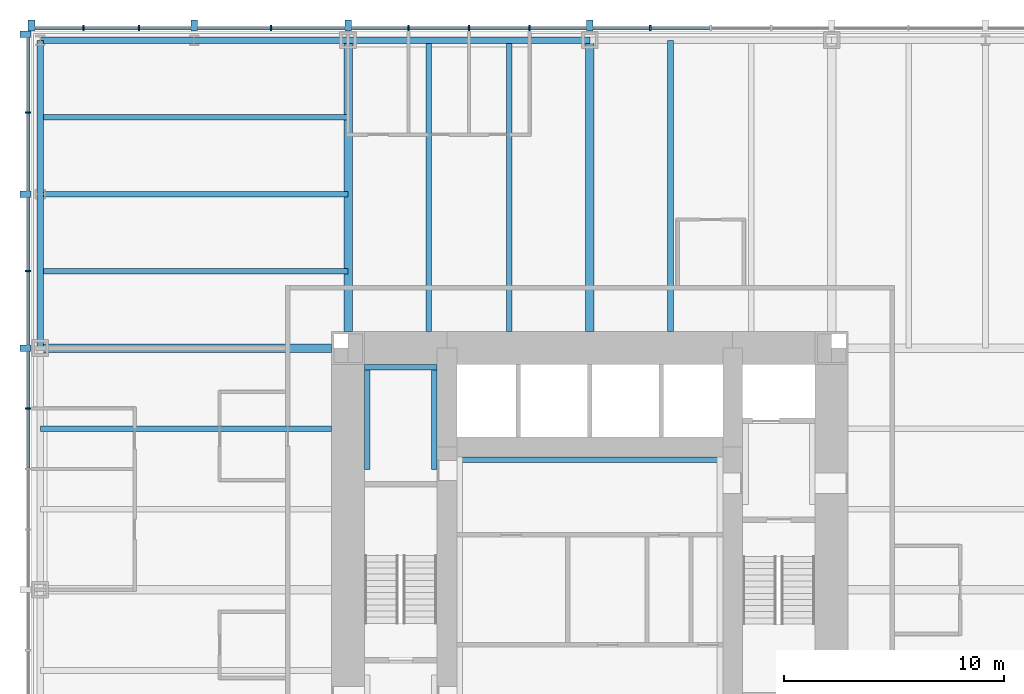
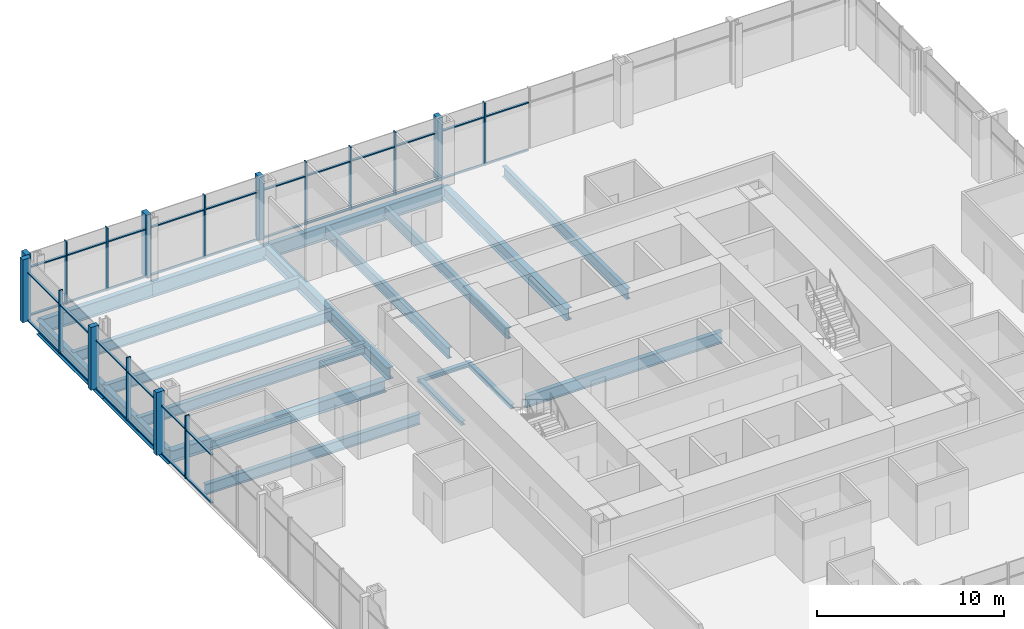
# One storey, part 5 of 12: 51 members, 19 beams, 2 elements without a shape of their own.
"""IFC4 building model written with IfcOpenShell, lengths in metres."""

import ifcopenshell
import ifcopenshell.guid

model = None  # the IFC model being written
_history = None  # IfcOwnerHistory: only IFC2X3 demands one
_inside = {}  # id of a spatial element -> (the spatial element, [elements in it])
_under = {}  # id of a project, library or spatial element -> (it, [spatial elements below it])
_declared = {}  # id of a project -> (the project, [libraries it declares])
_typed = {}  # id of a type object -> (the type object, [elements of that type])
_made_of = {}  # id of a material, layer set ... -> (it, [elements and type objects made of it])


def new_model(schema):
    """Start an empty IFC model of exactly this schema.

    Asked for "IFC4X3", IfcOpenShell would pick the latest addendum, in which some entities
    have other attributes; the version numbers below select the first issue.
    IFC2X3 requires an IfcOwnerHistory on every rooted entity: one is made here for all.
    """
    global model, _history
    if schema == "IFC4X3":
        model = ifcopenshell.file(schema_version=(4, 3, 0, 0))
    else:
        model = ifcopenshell.file(schema=schema)
    _inside.clear()
    _under.clear()
    _declared.clear()
    _typed.clear()
    _made_of.clear()
    _history = None
    if model.schema == "IFC2X3":
        org = make("IfcOrganization", Name="unknown")
        user = make(
            "IfcPersonAndOrganization",
            ThePerson=make("IfcPerson", FamilyName="unknown"),
            TheOrganization=org,
        )
        app = make(
            "IfcApplication",
            ApplicationDeveloper=org,
            Version="unknown",
            ApplicationFullName="unknown",
            ApplicationIdentifier="unknown",
        )
        _history = make(
            "IfcOwnerHistory",
            OwningUser=user,
            OwningApplication=app,
            ChangeAction="ADDED",
            CreationDate=0,
        )
    return model


def make(cls, **values):
    """One entity of the class cls with the attributes given. An attribute that is None is left unset."""
    return model.create_entity(
        cls, **{name: value for name, value in values.items() if value is not None}
    )


def rooted(cls, **values):
    """An entity with a GlobalId (a new one), such as an element, a storey or a relation."""
    return make(cls, GlobalId=ifcopenshell.guid.new(), OwnerHistory=_history, **values)


def si_unit(unit_type, name, prefix=None):
    """IfcSIUnit, for example si_unit("LENGTHUNIT", "METRE", prefix="MILLI")."""
    return make("IfcSIUnit", UnitType=unit_type, Prefix=prefix, Name=name)


def assignment(units):
    """IfcUnitAssignment: the units of a project."""
    return None if units is None else make("IfcUnitAssignment", Units=units)


def point(xyz):
    """IfcCartesianPoint."""
    return None if xyz is None else make("IfcCartesianPoint", Coordinates=xyz)


def direction(xyz):
    """IfcDirection."""
    return None if xyz is None else make("IfcDirection", DirectionRatios=xyz)


def frame(location, z_axis=None, x_axis=None):
    """IfcAxis2Placement3D, a coordinate frame: its origin and axes. An axis left out is left unset."""
    return make(
        "IfcAxis2Placement3D",
        Location=point(location),
        Axis=direction(z_axis),
        RefDirection=direction(x_axis),
    )


def frame_2d(location, x_axis=None):
    """IfcAxis2Placement2D, a coordinate frame in the plane: its origin and x axis."""
    return make(
        "IfcAxis2Placement2D", Location=point(location), RefDirection=direction(x_axis)
    )


def origin():
    """The frame at (0, 0, 0) with its axes left unset."""
    return frame((0.0, 0.0, 0.0))


def origin_2d():
    """The frame at (0, 0) in the plane with its x axis left unset."""
    return frame_2d((0.0, 0.0))


def place(relative_to, where):
    """IfcLocalPlacement: puts the frame where relative to a parent placement (None: the world)."""
    return make(
        "IfcLocalPlacement", PlacementRelTo=relative_to, RelativePlacement=where
    )


def context(
    kind, dimensions, precision=None, world=None, true_north=None, identifier=None
):
    """IfcGeometricRepresentationContext, for example the 3D "Model" context."""
    return make(
        "IfcGeometricRepresentationContext",
        ContextIdentifier=identifier,
        ContextType=kind,
        CoordinateSpaceDimension=dimensions,
        Precision=precision,
        WorldCoordinateSystem=world,
        TrueNorth=true_north,
    )


def subcontext(parent, identifier, kind, view, scale=None):
    """IfcGeometricRepresentationSubContext, for example "Body" below "Model"."""
    return make(
        "IfcGeometricRepresentationSubContext",
        ContextIdentifier=identifier,
        ContextType=kind,
        ParentContext=parent,
        TargetScale=scale,
        TargetView=view,
    )


def project(units=None, contexts=None):
    """IfcProject with its units and contexts."""
    return rooted(
        "IfcProject",
        Name="project",
        RepresentationContexts=contexts,
        UnitsInContext=assignment(units),
    )


def spatial(cls, under=None, at=None, **own):
    """A site, building, storey or space (cls), placed at a placement, below another one or the project."""
    s = rooted(cls, ObjectPlacement=at, **own)
    if under is not None:
        _under.setdefault(under.id(), (under, []))[1].append(s)
    return s


def profile(cls, at=None, kind="AREA", **sizes):
    """A parametric profile (cls). Its sizes go by their IFC names, for example OverallWidth=200.0."""
    return make(cls, ProfileType=kind, Position=at, **sizes)


def rectangle(**sizes):
    """IfcRectangleProfileDef."""
    return profile("IfcRectangleProfileDef", **sizes)


def i_section(**sizes):
    """IfcIShapeProfileDef."""
    return profile("IfcIShapeProfileDef", **sizes)


def extrude(swept, where, along, depth):
    """IfcExtrudedAreaSolid: the profile swept, set in the frame where, extruded along a direction by depth."""
    return make(
        "IfcExtrudedAreaSolid",
        SweptArea=swept,
        Position=where,
        ExtrudedDirection=direction(along),
        Depth=depth,
    )


def shape(context_of_items, identifier, shape_type, items):
    """IfcShapeRepresentation: the items that make up one representation, for example the "Body"."""
    return make(
        "IfcShapeRepresentation",
        ContextOfItems=context_of_items,
        RepresentationIdentifier=identifier,
        RepresentationType=shape_type,
        Items=items,
    )


def material(Name=None, Category=None):
    """IfcMaterial."""
    return make("IfcMaterial", Name=Name, Category=Category)


def material_profile(
    of_material, cross_section, Name=None, Category=None, Priority=None
):
    """IfcMaterialProfile: a cross section and its material."""
    return make(
        "IfcMaterialProfile",
        Name=Name,
        Material=of_material,
        Profile=cross_section,
        Priority=Priority,
        Category=Category,
    )


def profile_set(profiles, Name=None, composite=None):
    """IfcMaterialProfileSet."""
    return make(
        "IfcMaterialProfileSet",
        Name=Name,
        MaterialProfiles=profiles,
        CompositeProfile=composite,
    )


def made_of(thing, what):
    """Note that an element or type object is made of a material, layer set ...; save() writes the relation."""
    if what is not None:
        _made_of.setdefault(what.id(), (what, []))[1].append(thing)
    return thing


def type_object(cls, material=None, **own):
    """A type object (cls), such as IfcWallType, which elements share."""
    return made_of(rooted(cls, **own), material)


def element(
    cls,
    number,
    at=None,
    inside=None,
    cuts=None,
    type_object=None,
    material=None,
    context=None,
    identifier="Body",
    shape_type=None,
    held_by="IfcProductDefinitionShape",
    body=None,
    shapes=None,
    **own,
):
    """One element of the class cls, such as IfcWall. Its Tag is "e" and its number.

    at: its placement. inside: the storey or other place that contains it. cuts: it is an
    opening in that element (IfcRelVoidsElement). A single representation is given by context,
    identifier, shape_type and body (its items); several are given by shapes. held_by: the class
    of the entity that holds the representations. save() writes the other relations.
    """
    e = rooted(cls, Tag="e%d" % number, ObjectPlacement=at, **own)
    if body is not None:
        shapes = [shape(context, identifier, shape_type, body)]
    if shapes is not None:
        e.Representation = make(held_by, Representations=shapes)
    if inside is not None:
        _inside.setdefault(inside.id(), (inside, []))[1].append(e)
    if cuts is not None:
        rooted(
            "IfcRelVoidsElement", RelatingBuildingElement=cuts, RelatedOpeningElement=e
        )
    if type_object is not None:
        _typed.setdefault(type_object.id(), (type_object, []))[1].append(e)
    return made_of(e, material)


def aggregate(whole, parts):
    """IfcRelAggregates: a whole, such as a stair, and the parts it consists of."""
    return rooted("IfcRelAggregates", RelatingObject=whole, RelatedObjects=parts)


def save(model, path):
    """Write the relations noted so far, then the file.

    IfcRelAggregates (storeys below a building ...), IfcRelContainedInSpatialStructure (elements
    in a storey), IfcRelDefinesByType, IfcRelAssociatesMaterial and IfcRelDeclares: one each for
    every whole, place, type object, material and project.
    """
    for whole, parts in _under.values():
        aggregate(whole, parts)
    for where, things in _inside.values():
        rooted(
            "IfcRelContainedInSpatialStructure",
            RelatedElements=things,
            RelatingStructure=where,
        )
    for kind, things in _typed.values():
        rooted("IfcRelDefinesByType", RelatedObjects=things, RelatingType=kind)
    for what, things in _made_of.values():
        rooted("IfcRelAssociatesMaterial", RelatedObjects=things, RelatingMaterial=what)
    for by, libraries in _declared.values():
        rooted("IfcRelDeclares", RelatingContext=by, RelatedDefinitions=libraries)
    model.write(path)


model = new_model("IFC4")

# Units and contexts
model_context = context("Model", 3, precision=1e-05, world=origin(), true_north=direction((0.0, 1.0)))
body_context = subcontext(model_context, "Body", "Model", "MODEL_VIEW")
ifc_project = project(units=[si_unit("LENGTHUNIT", "METRE"), si_unit("AREAUNIT", "SQUARE_METRE"), si_unit("VOLUMEUNIT", "CUBIC_METRE"), si_unit("PLANEANGLEUNIT", "RADIAN"), si_unit("MASSUNIT", "GRAM", prefix="KILO")], contexts=[model_context])

# Site, building, storey
site_placement = place(None, origin())
site = spatial("IfcSite", under=ifc_project, at=site_placement, CompositionType="ELEMENT")
building_placement = place(site_placement, origin())
building = spatial("IfcBuilding", under=site, at=building_placement, Name="Trevanion Tower", CompositionType="ELEMENT")
storey_placement = place(building_placement, frame((0.0, 0.0, 36.5)))
storey = spatial("IfcBuildingStorey", under=building, at=storey_placement, Name="L08", CompositionType="ELEMENT", Elevation=36.5)

# Beams
ifc_material_1 = material(Name="Steel ASTM A992 Grade 50", Category="steel")
ifc_material_profile_1 = material_profile(ifc_material_1, i_section(OverallWidth=0.25390625, OverallDepth=0.700927734375, WebThickness=0.015380859375, FlangeThickness=0.02783203125, at=origin_2d()), Name="W27X129")
ifc_profile_set_1 = profile_set([ifc_material_profile_1], Name="Steel ASTM A992 Grade 50")
beam_type_1 = type_object("IfcBeamType", Name="B3 W27X129", PredefinedType="BEAM", material=ifc_profile_set_1)
for number, where, z_axis, x_axis, name in (
    (1, (3.666748046875, 11.75, -0.54052734375), (0.0, 1.0, 0.0), (-1.0, 0.0, 0.0), "B3 L08"),
    (2, (-3.666748046875, 11.75, -0.54052734375), (0.0, 1.0, 0.0), (-1.0, 0.0, 0.0), "B3 L08"),
    (3, (-7.333251953125, 11.75, -0.54052734375), (0.0, 1.0, 0.0), (-1.0, 0.0, 0.0), "B3 L08"),
    (4, (-11.75, 7.333251953125, -0.54052734375), (-1.0, 0.0, 0.0), (0.0, -1.0, 0.0), "B3 L08"),
):
    element("IfcBeam", number, at=place(storey_placement, frame(where, z_axis=z_axis, x_axis=x_axis)), inside=storey, type_object=beam_type_1, Name=name, PredefinedType="BEAM", context=body_context, shape_type="SweptSolid", body=[
        extrude(i_section(OverallWidth=0.25390625, OverallDepth=0.700927734375, WebThickness=0.015380859375, FlangeThickness=0.02783203125, at=origin_2d()), origin(), (0.0, 0.0, 1.0), 13.25),
    ])
ifc_material_2 = material(Name="Steel ASTM A992 Grade 50", Category="steel")
ifc_material_profile_2 = material_profile(ifc_material_2, i_section(OverallWidth=0.256591796875, OverallDepth=0.693359375, WebThickness=0.014404296875, FlangeThickness=0.023681640625, at=origin_2d()), Name="W27X114")
ifc_profile_set_2 = profile_set([ifc_material_profile_2], Name="Steel ASTM A992 Grade 50")
beam_type_2 = type_object("IfcBeamType", Name="B4 W27X114", PredefinedType="BEAM", material=ifc_profile_set_2)
for number, where, z_axis, x_axis, name in (
    (5, (-11.0, 14.5, -0.53662109375), (-1.0, 0.0, 0.0), (0.0, -1.0, 0.0), "B4 L08"),
    (6, (-11.0, 18.0, -0.53662109375), (-1.0, 0.0, 0.0), (0.0, -1.0, 0.0), "B4 L08"),
    (7, (-11.0, 21.5, -0.53662109375), (-1.0, 0.0, 0.0), (0.0, -1.0, 0.0), "B4 L08"),
):
    element("IfcBeam", number, at=place(storey_placement, frame(where, z_axis=z_axis, x_axis=x_axis)), inside=storey, type_object=beam_type_2, Name=name, PredefinedType="BEAM", context=body_context, shape_type="SweptSolid", body=[
        extrude(i_section(OverallWidth=0.256591796875, OverallDepth=0.693359375, WebThickness=0.014404296875, FlangeThickness=0.023681640625, at=origin_2d()), origin(), (0.0, 0.0, 1.0), 14.0),
    ])

# Curtain wall, members
ifc_material_3 = material(Name="Aluminium and glass", Category="aluminium")
curtain_wall_type = type_object("IfcCurtainWallType", Name="CW1 curtain wall", PredefinedType="USERDEFINED", material=ifc_material_3)
curtain_wall_1_placement = place(storey_placement, origin())
curtain_wall_1 = element("IfcCurtainWall", 8, at=curtain_wall_1_placement, inside=storey, type_object=curtain_wall_type, Name="CW1 L08 1", ObjectType="UNITISED CURTAIN WALL", PredefinedType="USERDEFINED")
ifc_material_4 = material(Name="Aluminium extrusion, anodised bronze", Category="aluminium")
ifc_material_profile_3 = material_profile(ifc_material_4, rectangle(XDim=0.074951171875, YDim=0.25, at=origin_2d()), Name="CW1 mullion")
ifc_profile_set_3 = profile_set([ifc_material_profile_3], Name="Aluminium extrusion, anodised bronze")
member_type_1 = type_object("IfcMemberType", Name="CW1 mullion", PredefinedType="MULLION", material=ifc_profile_set_3)
member_1_placement = place(storey_placement, frame((2.75, 25.550048828125, -0.18994140625), z_axis=(0.0, 0.0, 1.0), x_axis=(-1.0, 0.0, 0.0)))
member_1 = element("IfcMember", 9, at=member_1_placement, type_object=member_type_1, Name="CW1 mullion 8", PredefinedType="MULLION", context=body_context, shape_type="SweptSolid", body=[
    extrude(rectangle(XDim=0.074951171875, YDim=0.25, at=origin_2d()), origin(), (0.0, 0.0, 1.0), 4.099853515625),
])
member_2_placement = place(storey_placement, frame((-2.75, 25.550048828125, -0.18994140625), z_axis=(0.0, 0.0, 1.0), x_axis=(-1.0, 0.0, 0.0)))
member_2 = element("IfcMember", 10, at=member_2_placement, type_object=member_type_1, Name="CW1 mullion 10", PredefinedType="MULLION", context=body_context, shape_type="SweptSolid", body=[
    extrude(rectangle(XDim=0.074951171875, YDim=0.25, at=origin_2d()), origin(), (0.0, 0.0, 1.0), 4.099853515625),
])
member_3_placement = place(storey_placement, frame((-5.5, 25.550048828125, -0.18994140625), z_axis=(0.0, 0.0, 1.0), x_axis=(-1.0, 0.0, 0.0)))
member_3 = element("IfcMember", 11, at=member_3_placement, type_object=member_type_1, Name="CW1 mullion 11", PredefinedType="MULLION", context=body_context, shape_type="SweptSolid", body=[
    extrude(rectangle(XDim=0.074951171875, YDim=0.25, at=origin_2d()), origin(), (0.0, 0.0, 1.0), 4.099853515625),
])
member_4_placement = place(storey_placement, frame((-8.25, 25.550048828125, -0.18994140625), z_axis=(0.0, 0.0, 1.0), x_axis=(-1.0, 0.0, 0.0)))
member_4 = element("IfcMember", 12, at=member_4_placement, type_object=member_type_1, Name="CW1 mullion 12", PredefinedType="MULLION", context=body_context, shape_type="SweptSolid", body=[
    extrude(rectangle(XDim=0.074951171875, YDim=0.25, at=origin_2d()), origin(), (0.0, 0.0, 1.0), 4.099853515625),
])
member_5_placement = place(storey_placement, frame((-14.5, 25.550048828125, -0.18994140625), z_axis=(0.0, 0.0, 1.0), x_axis=(-1.0, 0.0, 0.0)))
member_5 = element("IfcMember", 13, at=member_5_placement, type_object=member_type_1, Name="CW1 mullion 14", PredefinedType="MULLION", context=body_context, shape_type="SweptSolid", body=[
    extrude(rectangle(XDim=0.074951171875, YDim=0.25, at=origin_2d()), origin(), (0.0, 0.0, 1.0), 4.099853515625),
])
member_6_placement = place(storey_placement, frame((-20.5166015625, 25.550048828125, -0.18994140625), z_axis=(0.0, 0.0, 1.0), x_axis=(-1.0, 0.0, 0.0)))
member_6 = element("IfcMember", 14, at=member_6_placement, type_object=member_type_1, Name="CW1 mullion 16", PredefinedType="MULLION", context=body_context, shape_type="SweptSolid", body=[
    extrude(rectangle(XDim=0.074951171875, YDim=0.25, at=origin_2d()), origin(), (0.0, 0.0, 1.0), 4.099853515625),
])
member_7_placement = place(storey_placement, frame((-23.033203125, 25.550048828125, -0.18994140625), z_axis=(0.0, 0.0, 1.0), x_axis=(-1.0, 0.0, 0.0)))
member_7 = element("IfcMember", 15, at=member_7_placement, type_object=member_type_1, Name="CW1 mullion 17", PredefinedType="MULLION", context=body_context, shape_type="SweptSolid", body=[
    extrude(rectangle(XDim=0.074951171875, YDim=0.25, at=origin_2d()), origin(), (0.0, 0.0, 1.0), 4.099853515625),
])

curtain_wall_2_placement = place(storey_placement, origin())
curtain_wall_2 = element("IfcCurtainWall", 16, at=curtain_wall_2_placement, inside=storey, type_object=curtain_wall_type, Name="CW1 L08 2", ObjectType="UNITISED CURTAIN WALL", PredefinedType="USERDEFINED")
member_8_placement = place(storey_placement, frame((-25.550048828125, 21.7099609375, -0.18994140625), z_axis=(0.0, 0.0, 1.0), x_axis=(0.0, -1.0, 0.0)))
member_8 = element("IfcMember", 17, at=member_8_placement, type_object=member_type_1, Name="CW1 mullion 2", PredefinedType="MULLION", context=body_context, shape_type="SweptSolid", body=[
    extrude(rectangle(XDim=0.074951171875, YDim=0.25, at=origin_2d()), origin(), (0.0, 0.0, 1.0), 4.099853515625),
])
member_9_placement = place(storey_placement, frame((-25.550048828125, 14.5, -0.18994140625), z_axis=(0.0, 0.0, 1.0), x_axis=(0.0, -1.0, 0.0)))
member_9 = element("IfcMember", 18, at=member_9_placement, type_object=member_type_1, Name="CW1 mullion 4", PredefinedType="MULLION", context=body_context, shape_type="SweptSolid", body=[
    extrude(rectangle(XDim=0.074951171875, YDim=0.25, at=origin_2d()), origin(), (0.0, 0.0, 1.0), 4.099853515625),
])
member_10_placement = place(storey_placement, frame((-25.550048828125, 8.25, -0.18994140625), z_axis=(0.0, 0.0, 1.0), x_axis=(0.0, -1.0, 0.0)))
member_10 = element("IfcMember", 19, at=member_10_placement, type_object=member_type_1, Name="CW1 mullion 6", PredefinedType="MULLION", context=body_context, shape_type="SweptSolid", body=[
    extrude(rectangle(XDim=0.074951171875, YDim=0.25, at=origin_2d()), origin(), (0.0, 0.0, 1.0), 4.099853515625),
])

# Member
ifc_material_5 = material(Name="Aluminium extrusion, anodised bronze", Category="aluminium")
ifc_material_profile_4 = material_profile(ifc_material_5, rectangle(XDim=0.300048828125, YDim=0.5, at=origin_2d()), Name="CW1 pier mullion")
ifc_profile_set_4 = profile_set([ifc_material_profile_4], Name="Aluminium extrusion, anodised bronze")
member_type_2 = type_object("IfcMemberType", Name="CW1 pier mullion", PredefinedType="MULLION", material=ifc_profile_set_4)
member_11_placement = place(storey_placement, frame((0.0, 25.675048828125, -0.18994140625), z_axis=(0.0, 0.0, 1.0), x_axis=(-1.0, 0.0, 0.0)))
member_11 = element("IfcMember", 20, at=member_11_placement, type_object=member_type_2, Name="CW1 pier mullion 9", PredefinedType="MULLION", context=body_context, shape_type="SweptSolid", body=[
    extrude(rectangle(XDim=0.300048828125, YDim=0.5, at=origin_2d()), origin(), (0.0, 0.0, 1.0), 4.099853515625),
])

member_12_placement = place(storey_placement, frame((-11.0, 25.675048828125, -0.18994140625), z_axis=(0.0, 0.0, 1.0), x_axis=(-1.0, 0.0, 0.0)))
member_12 = element("IfcMember", 21, at=member_12_placement, type_object=member_type_2, Name="CW1 pier mullion 13", PredefinedType="MULLION", context=body_context, shape_type="SweptSolid", body=[
    extrude(rectangle(XDim=0.300048828125, YDim=0.5, at=origin_2d()), origin(), (0.0, 0.0, 1.0), 4.099853515625),
])

member_13_placement = place(storey_placement, frame((-18.0, 25.675048828125, -0.18994140625), z_axis=(0.0, 0.0, 1.0), x_axis=(-1.0, 0.0, 0.0)))
member_13 = element("IfcMember", 22, at=member_13_placement, type_object=member_type_2, Name="CW1 pier mullion 15", PredefinedType="MULLION", context=body_context, shape_type="SweptSolid", body=[
    extrude(rectangle(XDim=0.300048828125, YDim=0.5, at=origin_2d()), origin(), (0.0, 0.0, 1.0), 4.099853515625),
])

member_14_placement = place(storey_placement, frame((-25.39990234375, 25.675048828125, -0.18994140625), z_axis=(0.0, 0.0, 1.0), x_axis=(-1.0, 0.0, 0.0)))
member_14 = element("IfcMember", 23, at=member_14_placement, type_object=member_type_2, Name="CW1 pier mullion 18", PredefinedType="MULLION", context=body_context, shape_type="SweptSolid", body=[
    extrude(rectangle(XDim=0.300048828125, YDim=0.5, at=origin_2d()), origin(), (0.0, 0.0, 1.0), 4.099853515625),
])

member_15_placement = place(storey_placement, frame((-25.675048828125, 25.27001953125, -0.18994140625), z_axis=(0.0, 0.0, 1.0), x_axis=(0.0, -1.0, 0.0)))
member_15 = element("IfcMember", 24, at=member_15_placement, type_object=member_type_2, Name="CW1 pier mullion 1", PredefinedType="MULLION", context=body_context, shape_type="SweptSolid", body=[
    extrude(rectangle(XDim=0.300048828125, YDim=0.5, at=origin_2d()), origin(), (0.0, 0.0, 1.0), 4.099853515625),
])

member_16_placement = place(storey_placement, frame((-25.675048828125, 18.0, -0.18994140625), z_axis=(0.0, 0.0, 1.0), x_axis=(0.0, -1.0, 0.0)))
member_16 = element("IfcMember", 25, at=member_16_placement, type_object=member_type_2, Name="CW1 pier mullion 3", PredefinedType="MULLION", context=body_context, shape_type="SweptSolid", body=[
    extrude(rectangle(XDim=0.300048828125, YDim=0.5, at=origin_2d()), origin(), (0.0, 0.0, 1.0), 4.099853515625),
])

member_17_placement = place(storey_placement, frame((-25.675048828125, 11.0, -0.18994140625), z_axis=(0.0, 0.0, 1.0), x_axis=(0.0, -1.0, 0.0)))
member_17 = element("IfcMember", 26, at=member_17_placement, type_object=member_type_2, Name="CW1 pier mullion 5", PredefinedType="MULLION", context=body_context, shape_type="SweptSolid", body=[
    extrude(rectangle(XDim=0.300048828125, YDim=0.5, at=origin_2d()), origin(), (0.0, 0.0, 1.0), 4.099853515625),
])

ifc_material_6 = material(Name="Aluminium extrusion, anodised bronze", Category="aluminium")
ifc_material_profile_5 = material_profile(ifc_material_6, rectangle(XDim=0.14990234375, YDim=0.074951171875, at=origin_2d()), Name="CW1 transom")
ifc_profile_set_5 = profile_set([ifc_material_profile_5], Name="Aluminium extrusion, anodised bronze")
member_type_3 = type_object("IfcMemberType", Name="CW1 transom", PredefinedType="USERDEFINED", material=ifc_profile_set_5)
member_18_placement = place(storey_placement, frame((5.46240234375, 25.550048828125, -0.152587890625), z_axis=(-1.0, 0.0, 0.0), x_axis=(0.0, -1.0, 0.0)))
member_18 = element("IfcMember", 27, at=member_18_placement, type_object=member_type_3, Name="CW1 transom 7.1", ObjectType="TRANSOM", PredefinedType="USERDEFINED", context=body_context, shape_type="SweptSolid", body=[
    extrude(rectangle(XDim=0.14990234375, YDim=0.074951171875, at=origin_2d()), origin(), (0.0, 0.0, 1.0), 2.6748046875),
])

member_19_placement = place(storey_placement, frame((5.46240234375, 25.550048828125, 2.9599609375), z_axis=(-1.0, 0.0, 0.0), x_axis=(0.0, -1.0, 0.0)))
member_19 = element("IfcMember", 28, at=member_19_placement, type_object=member_type_3, Name="CW1 transom 7.2", ObjectType="TRANSOM", PredefinedType="USERDEFINED", context=body_context, shape_type="SweptSolid", body=[
    extrude(rectangle(XDim=0.14990234375, YDim=0.074951171875, at=origin_2d()), origin(), (0.0, 0.0, 1.0), 2.6748046875),
])

member_20_placement = place(storey_placement, frame((2.71240234375, 25.550048828125, -0.152587890625), z_axis=(-1.0, 0.0, 0.0), x_axis=(0.0, -1.0, 0.0)))
member_20 = element("IfcMember", 29, at=member_20_placement, type_object=member_type_3, Name="CW1 transom 8.1", ObjectType="TRANSOM", PredefinedType="USERDEFINED", context=body_context, shape_type="SweptSolid", body=[
    extrude(rectangle(XDim=0.14990234375, YDim=0.074951171875, at=origin_2d()), origin(), (0.0, 0.0, 1.0), 2.5625),
])

member_21_placement = place(storey_placement, frame((2.71240234375, 25.550048828125, 2.9599609375), z_axis=(-1.0, 0.0, 0.0), x_axis=(0.0, -1.0, 0.0)))
member_21 = element("IfcMember", 30, at=member_21_placement, type_object=member_type_3, Name="CW1 transom 8.2", ObjectType="TRANSOM", PredefinedType="USERDEFINED", context=body_context, shape_type="SweptSolid", body=[
    extrude(rectangle(XDim=0.14990234375, YDim=0.074951171875, at=origin_2d()), origin(), (0.0, 0.0, 1.0), 2.5625),
])

member_22_placement = place(storey_placement, frame((-0.14990234375, 25.550048828125, -0.152587890625), z_axis=(-1.0, 0.0, 0.0), x_axis=(0.0, -1.0, 0.0)))
member_22 = element("IfcMember", 31, at=member_22_placement, type_object=member_type_3, Name="CW1 transom 9.1", ObjectType="TRANSOM", PredefinedType="USERDEFINED", context=body_context, shape_type="SweptSolid", body=[
    extrude(rectangle(XDim=0.14990234375, YDim=0.074951171875, at=origin_2d()), origin(), (0.0, 0.0, 1.0), 2.5625),
])

member_23_placement = place(storey_placement, frame((-0.14990234375, 25.550048828125, 2.9599609375), z_axis=(-1.0, 0.0, 0.0), x_axis=(0.0, -1.0, 0.0)))
member_23 = element("IfcMember", 32, at=member_23_placement, type_object=member_type_3, Name="CW1 transom 9.2", ObjectType="TRANSOM", PredefinedType="USERDEFINED", context=body_context, shape_type="SweptSolid", body=[
    extrude(rectangle(XDim=0.14990234375, YDim=0.074951171875, at=origin_2d()), origin(), (0.0, 0.0, 1.0), 2.5625),
])

member_24_placement = place(storey_placement, frame((-2.78759765625, 25.550048828125, -0.152587890625), z_axis=(-1.0, 0.0, 0.0), x_axis=(0.0, -1.0, 0.0)))
member_24 = element("IfcMember", 33, at=member_24_placement, type_object=member_type_3, Name="CW1 transom 10.1", ObjectType="TRANSOM", PredefinedType="USERDEFINED", context=body_context, shape_type="SweptSolid", body=[
    extrude(rectangle(XDim=0.14990234375, YDim=0.074951171875, at=origin_2d()), origin(), (0.0, 0.0, 1.0), 2.6748046875),
])

member_25_placement = place(storey_placement, frame((-2.78759765625, 25.550048828125, 2.9599609375), z_axis=(-1.0, 0.0, 0.0), x_axis=(0.0, -1.0, 0.0)))
member_25 = element("IfcMember", 34, at=member_25_placement, type_object=member_type_3, Name="CW1 transom 10.2", ObjectType="TRANSOM", PredefinedType="USERDEFINED", context=body_context, shape_type="SweptSolid", body=[
    extrude(rectangle(XDim=0.14990234375, YDim=0.074951171875, at=origin_2d()), origin(), (0.0, 0.0, 1.0), 2.6748046875),
])

member_26_placement = place(storey_placement, frame((-5.53759765625, 25.550048828125, -0.152587890625), z_axis=(-1.0, 0.0, 0.0), x_axis=(0.0, -1.0, 0.0)))
member_26 = element("IfcMember", 35, at=member_26_placement, type_object=member_type_3, Name="CW1 transom 11.1", ObjectType="TRANSOM", PredefinedType="USERDEFINED", context=body_context, shape_type="SweptSolid", body=[
    extrude(rectangle(XDim=0.14990234375, YDim=0.074951171875, at=origin_2d()), origin(), (0.0, 0.0, 1.0), 2.6748046875),
])

member_27_placement = place(storey_placement, frame((-5.53759765625, 25.550048828125, 2.9599609375), z_axis=(-1.0, 0.0, 0.0), x_axis=(0.0, -1.0, 0.0)))
member_27 = element("IfcMember", 36, at=member_27_placement, type_object=member_type_3, Name="CW1 transom 11.2", ObjectType="TRANSOM", PredefinedType="USERDEFINED", context=body_context, shape_type="SweptSolid", body=[
    extrude(rectangle(XDim=0.14990234375, YDim=0.074951171875, at=origin_2d()), origin(), (0.0, 0.0, 1.0), 2.6748046875),
])

member_28_placement = place(storey_placement, frame((-8.28759765625, 25.550048828125, -0.152587890625), z_axis=(-1.0, 0.0, 0.0), x_axis=(0.0, -1.0, 0.0)))
member_28 = element("IfcMember", 37, at=member_28_placement, type_object=member_type_3, Name="CW1 transom 12.1", ObjectType="TRANSOM", PredefinedType="USERDEFINED", context=body_context, shape_type="SweptSolid", body=[
    extrude(rectangle(XDim=0.14990234375, YDim=0.074951171875, at=origin_2d()), origin(), (0.0, 0.0, 1.0), 2.5625),
])

member_29_placement = place(storey_placement, frame((-8.28759765625, 25.550048828125, 2.9599609375), z_axis=(-1.0, 0.0, 0.0), x_axis=(0.0, -1.0, 0.0)))
member_29 = element("IfcMember", 38, at=member_29_placement, type_object=member_type_3, Name="CW1 transom 12.2", ObjectType="TRANSOM", PredefinedType="USERDEFINED", context=body_context, shape_type="SweptSolid", body=[
    extrude(rectangle(XDim=0.14990234375, YDim=0.074951171875, at=origin_2d()), origin(), (0.0, 0.0, 1.0), 2.5625),
])

member_30_placement = place(storey_placement, frame((-11.14990234375, 25.550048828125, -0.152587890625), z_axis=(-1.0, 0.0, 0.0), x_axis=(0.0, -1.0, 0.0)))
member_30 = element("IfcMember", 39, at=member_30_placement, type_object=member_type_3, Name="CW1 transom 13.1", ObjectType="TRANSOM", PredefinedType="USERDEFINED", context=body_context, shape_type="SweptSolid", body=[
    extrude(rectangle(XDim=0.14990234375, YDim=0.074951171875, at=origin_2d()), origin(), (0.0, 0.0, 1.0), 3.3125),
])

member_31_placement = place(storey_placement, frame((-11.14990234375, 25.550048828125, 2.9599609375), z_axis=(-1.0, 0.0, 0.0), x_axis=(0.0, -1.0, 0.0)))
member_31 = element("IfcMember", 40, at=member_31_placement, type_object=member_type_3, Name="CW1 transom 13.2", ObjectType="TRANSOM", PredefinedType="USERDEFINED", context=body_context, shape_type="SweptSolid", body=[
    extrude(rectangle(XDim=0.14990234375, YDim=0.074951171875, at=origin_2d()), origin(), (0.0, 0.0, 1.0), 3.3125),
])

member_32_placement = place(storey_placement, frame((-14.53759765625, 25.550048828125, -0.152587890625), z_axis=(-1.0, 0.0, 0.0), x_axis=(0.0, -1.0, 0.0)))
member_32 = element("IfcMember", 41, at=member_32_placement, type_object=member_type_3, Name="CW1 transom 14.1", ObjectType="TRANSOM", PredefinedType="USERDEFINED", context=body_context, shape_type="SweptSolid", body=[
    extrude(rectangle(XDim=0.14990234375, YDim=0.074951171875, at=origin_2d()), origin(), (0.0, 0.0, 1.0), 3.3125),
])

member_33_placement = place(storey_placement, frame((-14.53759765625, 25.550048828125, 2.9599609375), z_axis=(-1.0, 0.0, 0.0), x_axis=(0.0, -1.0, 0.0)))
member_33 = element("IfcMember", 42, at=member_33_placement, type_object=member_type_3, Name="CW1 transom 14.2", ObjectType="TRANSOM", PredefinedType="USERDEFINED", context=body_context, shape_type="SweptSolid", body=[
    extrude(rectangle(XDim=0.14990234375, YDim=0.074951171875, at=origin_2d()), origin(), (0.0, 0.0, 1.0), 3.3125),
])

member_34_placement = place(storey_placement, frame((-18.14990234375, 25.550048828125, -0.152587890625), z_axis=(-1.0, 0.0, 0.0), x_axis=(0.0, -1.0, 0.0)))
member_34 = element("IfcMember", 43, at=member_34_placement, type_object=member_type_3, Name="CW1 transom 15.1", ObjectType="TRANSOM", PredefinedType="USERDEFINED", context=body_context, shape_type="SweptSolid", body=[
    extrude(rectangle(XDim=0.14990234375, YDim=0.074951171875, at=origin_2d()), origin(), (0.0, 0.0, 1.0), 2.329345703125),
])

member_35_placement = place(storey_placement, frame((-18.14990234375, 25.550048828125, 2.9599609375), z_axis=(-1.0, 0.0, 0.0), x_axis=(0.0, -1.0, 0.0)))
member_35 = element("IfcMember", 44, at=member_35_placement, type_object=member_type_3, Name="CW1 transom 15.2", ObjectType="TRANSOM", PredefinedType="USERDEFINED", context=body_context, shape_type="SweptSolid", body=[
    extrude(rectangle(XDim=0.14990234375, YDim=0.074951171875, at=origin_2d()), origin(), (0.0, 0.0, 1.0), 2.329345703125),
])

member_36_placement = place(storey_placement, frame((-20.55419921875, 25.550048828125, -0.152587890625), z_axis=(-1.0, 0.0, 0.0), x_axis=(0.0, -1.0, 0.0)))
member_36 = element("IfcMember", 45, at=member_36_placement, type_object=member_type_3, Name="CW1 transom 16.1", ObjectType="TRANSOM", PredefinedType="USERDEFINED", context=body_context, shape_type="SweptSolid", body=[
    extrude(rectangle(XDim=0.14990234375, YDim=0.074951171875, at=origin_2d()), origin(), (0.0, 0.0, 1.0), 2.441650390625),
])

member_37_placement = place(storey_placement, frame((-20.55419921875, 25.550048828125, 2.9599609375), z_axis=(-1.0, 0.0, 0.0), x_axis=(0.0, -1.0, 0.0)))
member_37 = element("IfcMember", 46, at=member_37_placement, type_object=member_type_3, Name="CW1 transom 16.2", ObjectType="TRANSOM", PredefinedType="USERDEFINED", context=body_context, shape_type="SweptSolid", body=[
    extrude(rectangle(XDim=0.14990234375, YDim=0.074951171875, at=origin_2d()), origin(), (0.0, 0.0, 1.0), 2.441650390625),
])

member_38_placement = place(storey_placement, frame((-23.07080078125, 25.550048828125, -0.152587890625), z_axis=(-1.0, 0.0, 0.0), x_axis=(0.0, -1.0, 0.0)))
member_38 = element("IfcMember", 47, at=member_38_placement, type_object=member_type_3, Name="CW1 transom 17.1", ObjectType="TRANSOM", PredefinedType="USERDEFINED", context=body_context, shape_type="SweptSolid", body=[
    extrude(rectangle(XDim=0.14990234375, YDim=0.074951171875, at=origin_2d()), origin(), (0.0, 0.0, 1.0), 2.17919921875),
])

member_39_placement = place(storey_placement, frame((-23.07080078125, 25.550048828125, 2.9599609375), z_axis=(-1.0, 0.0, 0.0), x_axis=(0.0, -1.0, 0.0)))
member_39 = element("IfcMember", 48, at=member_39_placement, type_object=member_type_3, Name="CW1 transom 17.2", ObjectType="TRANSOM", PredefinedType="USERDEFINED", context=body_context, shape_type="SweptSolid", body=[
    extrude(rectangle(XDim=0.14990234375, YDim=0.074951171875, at=origin_2d()), origin(), (0.0, 0.0, 1.0), 2.17919921875),
])

aggregate(curtain_wall_1, [member_1, member_11, member_2, member_3, member_4, member_12, member_5, member_13, member_6, member_7, member_14, member_18, member_19, member_20, member_21, member_22, member_23, member_24, member_25, member_26, member_27, member_28, member_29, member_30, member_31, member_32, member_33, member_34, member_35, member_36, member_37, member_38, member_39])

member_40_placement = place(storey_placement, frame((-25.550048828125, 25.1201171875, -0.152587890625), z_axis=(0.0, -1.0, 0.0), x_axis=(1.0, 0.0, 0.0)))
member_40 = element("IfcMember", 49, at=member_40_placement, type_object=member_type_3, Name="CW1 transom 1.1", ObjectType="TRANSOM", PredefinedType="USERDEFINED", context=body_context, shape_type="SweptSolid", body=[
    extrude(rectangle(XDim=0.14990234375, YDim=0.074951171875, at=origin_2d()), origin(), (0.0, 0.0, 1.0), 3.37255859375),
])

member_41_placement = place(storey_placement, frame((-25.550048828125, 25.1201171875, 2.9599609375), z_axis=(0.0, -1.0, 0.0), x_axis=(1.0, 0.0, 0.0)))
member_41 = element("IfcMember", 50, at=member_41_placement, type_object=member_type_3, Name="CW1 transom 1.2", ObjectType="TRANSOM", PredefinedType="USERDEFINED", context=body_context, shape_type="SweptSolid", body=[
    extrude(rectangle(XDim=0.14990234375, YDim=0.074951171875, at=origin_2d()), origin(), (0.0, 0.0, 1.0), 3.37255859375),
])

member_42_placement = place(storey_placement, frame((-25.550048828125, 21.672607421875, -0.152587890625), z_axis=(0.0, -1.0, 0.0), x_axis=(1.0, 0.0, 0.0)))
member_42 = element("IfcMember", 51, at=member_42_placement, type_object=member_type_3, Name="CW1 transom 2.1", ObjectType="TRANSOM", PredefinedType="USERDEFINED", context=body_context, shape_type="SweptSolid", body=[
    extrude(rectangle(XDim=0.14990234375, YDim=0.074951171875, at=origin_2d()), origin(), (0.0, 0.0, 1.0), 3.522705078125),
])

member_43_placement = place(storey_placement, frame((-25.550048828125, 21.672607421875, 2.9599609375), z_axis=(0.0, -1.0, 0.0), x_axis=(1.0, 0.0, 0.0)))
member_43 = element("IfcMember", 52, at=member_43_placement, type_object=member_type_3, Name="CW1 transom 2.2", ObjectType="TRANSOM", PredefinedType="USERDEFINED", context=body_context, shape_type="SweptSolid", body=[
    extrude(rectangle(XDim=0.14990234375, YDim=0.074951171875, at=origin_2d()), origin(), (0.0, 0.0, 1.0), 3.522705078125),
])

member_44_placement = place(storey_placement, frame((-25.550048828125, 17.85009765625, -0.152587890625), z_axis=(0.0, -1.0, 0.0), x_axis=(1.0, 0.0, 0.0)))
member_44 = element("IfcMember", 53, at=member_44_placement, type_object=member_type_3, Name="CW1 transom 3.1", ObjectType="TRANSOM", PredefinedType="USERDEFINED", context=body_context, shape_type="SweptSolid", body=[
    extrude(rectangle(XDim=0.14990234375, YDim=0.074951171875, at=origin_2d()), origin(), (0.0, 0.0, 1.0), 3.3125),
])

member_45_placement = place(storey_placement, frame((-25.550048828125, 17.85009765625, 2.9599609375), z_axis=(0.0, -1.0, 0.0), x_axis=(1.0, 0.0, 0.0)))
member_45 = element("IfcMember", 54, at=member_45_placement, type_object=member_type_3, Name="CW1 transom 3.2", ObjectType="TRANSOM", PredefinedType="USERDEFINED", context=body_context, shape_type="SweptSolid", body=[
    extrude(rectangle(XDim=0.14990234375, YDim=0.074951171875, at=origin_2d()), origin(), (0.0, 0.0, 1.0), 3.3125),
])

member_46_placement = place(storey_placement, frame((-25.550048828125, 14.46240234375, -0.152587890625), z_axis=(0.0, -1.0, 0.0), x_axis=(1.0, 0.0, 0.0)))
member_46 = element("IfcMember", 55, at=member_46_placement, type_object=member_type_3, Name="CW1 transom 4.1", ObjectType="TRANSOM", PredefinedType="USERDEFINED", context=body_context, shape_type="SweptSolid", body=[
    extrude(rectangle(XDim=0.14990234375, YDim=0.074951171875, at=origin_2d()), origin(), (0.0, 0.0, 1.0), 3.3125),
])

member_47_placement = place(storey_placement, frame((-25.550048828125, 14.46240234375, 2.9599609375), z_axis=(0.0, -1.0, 0.0), x_axis=(1.0, 0.0, 0.0)))
member_47 = element("IfcMember", 56, at=member_47_placement, type_object=member_type_3, Name="CW1 transom 4.2", ObjectType="TRANSOM", PredefinedType="USERDEFINED", context=body_context, shape_type="SweptSolid", body=[
    extrude(rectangle(XDim=0.14990234375, YDim=0.074951171875, at=origin_2d()), origin(), (0.0, 0.0, 1.0), 3.3125),
])

member_48_placement = place(storey_placement, frame((-25.550048828125, 10.85009765625, -0.152587890625), z_axis=(0.0, -1.0, 0.0), x_axis=(1.0, 0.0, 0.0)))
member_48 = element("IfcMember", 57, at=member_48_placement, type_object=member_type_3, Name="CW1 transom 5.1", ObjectType="TRANSOM", PredefinedType="USERDEFINED", context=body_context, shape_type="SweptSolid", body=[
    extrude(rectangle(XDim=0.14990234375, YDim=0.074951171875, at=origin_2d()), origin(), (0.0, 0.0, 1.0), 2.5625),
])

member_49_placement = place(storey_placement, frame((-25.550048828125, 10.85009765625, 2.9599609375), z_axis=(0.0, -1.0, 0.0), x_axis=(1.0, 0.0, 0.0)))
member_49 = element("IfcMember", 58, at=member_49_placement, type_object=member_type_3, Name="CW1 transom 5.2", ObjectType="TRANSOM", PredefinedType="USERDEFINED", context=body_context, shape_type="SweptSolid", body=[
    extrude(rectangle(XDim=0.14990234375, YDim=0.074951171875, at=origin_2d()), origin(), (0.0, 0.0, 1.0), 2.5625),
])

member_50_placement = place(storey_placement, frame((-25.550048828125, 8.21240234375, -0.152587890625), z_axis=(0.0, -1.0, 0.0), x_axis=(1.0, 0.0, 0.0)))
member_50 = element("IfcMember", 59, at=member_50_placement, type_object=member_type_3, Name="CW1 transom 6.1", ObjectType="TRANSOM", PredefinedType="USERDEFINED", context=body_context, shape_type="SweptSolid", body=[
    extrude(rectangle(XDim=0.14990234375, YDim=0.074951171875, at=origin_2d()), origin(), (0.0, 0.0, 1.0), 2.6748046875),
])

member_51_placement = place(storey_placement, frame((-25.550048828125, 8.21240234375, 2.9599609375), z_axis=(0.0, -1.0, 0.0), x_axis=(1.0, 0.0, 0.0)))
member_51 = element("IfcMember", 60, at=member_51_placement, type_object=member_type_3, Name="CW1 transom 6.2", ObjectType="TRANSOM", PredefinedType="USERDEFINED", context=body_context, shape_type="SweptSolid", body=[
    extrude(rectangle(XDim=0.14990234375, YDim=0.074951171875, at=origin_2d()), origin(), (0.0, 0.0, 1.0), 2.6748046875),
])

aggregate(curtain_wall_2, [member_15, member_8, member_16, member_9, member_17, member_10, member_40, member_41, member_42, member_43, member_44, member_45, member_46, member_47, member_48, member_49, member_50, member_51])

# Beams
ifc_material_7 = material(Name="Steel ASTM A992 Grade 50", Category="steel")
ifc_material_profile_6 = material_profile(ifc_material_7, i_section(OverallWidth=0.381103515625, OverallDepth=0.77978515625, WebThickness=0.01806640625, FlangeThickness=0.0302734375, at=origin_2d()), Name="W30X191")
ifc_profile_set_6 = profile_set([ifc_material_profile_6], Name="Steel ASTM A992 Grade 50")
beam_type_3 = type_object("IfcBeamType", Name="G2 W30X191", PredefinedType="BEAM", material=ifc_profile_set_6)
for number, where, z_axis, x_axis, name in (
    (61, (0.0, 11.75, -0.579833984375), (0.0, 1.0, 0.0), (-1.0, 0.0, 0.0), "G2 L08"),
    (62, (-11.0, 11.75, -0.579833984375), (0.0, 1.0, 0.0), (-1.0, 0.0, 0.0), "G2 L08"),
    (63, (-11.75, 11.0, -0.579833984375), (-1.0, 0.0, 0.0), (0.0, -1.0, 0.0), "G2 L08"),
):
    element("IfcBeam", number, at=place(storey_placement, frame(where, z_axis=z_axis, x_axis=x_axis)), inside=storey, type_object=beam_type_3, Name=name, PredefinedType="BEAM", context=body_context, shape_type="SweptSolid", body=[
        extrude(i_section(OverallWidth=0.381103515625, OverallDepth=0.77978515625, WebThickness=0.01806640625, FlangeThickness=0.0302734375, at=origin_2d()), origin(), (0.0, 0.0, 1.0), 13.25),
    ])
ifc_material_8 = material(Name="Steel ASTM A992 Grade 50", Category="steel")
ifc_material_profile_7 = material_profile(ifc_material_8, i_section(OverallWidth=0.256591796875, OverallDepth=0.26416015625, WebThickness=0.011962890625, FlangeThickness=0.01953125, at=origin_2d()), Name="W10X68")
ifc_profile_set_7 = profile_set([ifc_material_profile_7], Name="Steel ASTM A992 Grade 50")
beam_type_4 = type_object("IfcBeamType", Name="LB1 W10X68", PredefinedType="BEAM", material=ifc_profile_set_7)
for number, where, z_axis, x_axis, name in (
    (64, (-10.12158203125, 5.47509765625, -0.33203125), (0.0, 1.0, 0.0), (-1.0, 0.0, 0.0), "LB1 L08"),
    (65, (-7.078369140625, 5.47509765625, -0.33203125), (0.0, 1.0, 0.0), (-1.0, 0.0, 0.0), "LB1 L08"),
):
    element("IfcBeam", number, at=place(storey_placement, frame(where, z_axis=z_axis, x_axis=x_axis)), inside=storey, type_object=beam_type_4, Name=name, PredefinedType="BEAM", context=body_context, shape_type="SweptSolid", body=[
        extrude(i_section(OverallWidth=0.256591796875, OverallDepth=0.26416015625, WebThickness=0.011962890625, FlangeThickness=0.01953125, at=origin_2d()), origin(), (0.0, 0.0, 1.0), 4.77490234375),
    ])
beam_1_placement = place(storey_placement, frame((-10.25, 10.12158203125, -0.33203125), z_axis=(1.0, 0.0, 0.0), x_axis=(0.0, 1.0, 0.0)))
element("IfcBeam", 66, at=beam_1_placement, inside=storey, type_object=beam_type_4, Name="LB1 L08", PredefinedType="BEAM", context=body_context, shape_type="SweptSolid", body=[
    extrude(i_section(OverallWidth=0.256591796875, OverallDepth=0.26416015625, WebThickness=0.011962890625, FlangeThickness=0.01953125, at=origin_2d()), origin(), (0.0, 0.0, 1.0), 3.300048828125),
])
ifc_material_9 = material(Name="Steel ASTM A992 Grade 50", Category="steel")
ifc_material_profile_8 = material_profile(ifc_material_9, i_section(OverallWidth=0.2666015625, OverallDepth=0.76953125, WebThickness=0.015625, FlangeThickness=0.025390625, at=origin_2d()), Name="W30X132")
ifc_profile_set_8 = profile_set([ifc_material_profile_8], Name="Steel ASTM A992 Grade 50")
beam_type_5 = type_object("IfcBeamType", Name="LB3 W30X132", PredefinedType="BEAM", material=ifc_profile_set_8)
beam_2_placement = place(storey_placement, frame((-6.050048828125, 5.91650390625, -0.584716796875), z_axis=(1.0, 0.0, 0.0), x_axis=(0.0, 1.0, 0.0)))
element("IfcBeam", 67, at=beam_2_placement, inside=storey, type_object=beam_type_5, Name="LB3 L08", PredefinedType="BEAM", context=body_context, shape_type="SweptSolid", body=[
    extrude(i_section(OverallWidth=0.2666015625, OverallDepth=0.76953125, WebThickness=0.015625, FlangeThickness=0.025390625, at=origin_2d()), origin(), (0.0, 0.0, 1.0), 12.10009765625),
])
ifc_material_10 = material(Name="Steel ASTM A992 Grade 50", Category="steel")
ifc_material_profile_9 = material_profile(ifc_material_10, i_section(OverallWidth=0.307373046875, OverallDepth=0.927001953125, WebThickness=0.01953125, FlangeThickness=0.031982421875, at=origin_2d()), Name="W36X194")
ifc_profile_set_9 = profile_set([ifc_material_profile_9], Name="Steel ASTM A992 Grade 50")
beam_type_6 = type_object("IfcBeamType", Name="SB2 W36X194", PredefinedType="SPANDREL", material=ifc_profile_set_9)
beam_3_placement = place(storey_placement, frame((0.0, 25.0, -0.653564453125), z_axis=(-1.0, 0.0, 0.0), x_axis=(0.0, -1.0, 0.0)))
element("IfcBeam", 68, at=beam_3_placement, inside=storey, type_object=beam_type_6, Name="SB2 L08", PredefinedType="SPANDREL", context=body_context, shape_type="SweptSolid", body=[
    extrude(i_section(OverallWidth=0.307373046875, OverallDepth=0.927001953125, WebThickness=0.01953125, FlangeThickness=0.031982421875, at=origin_2d()), origin(), (0.0, 0.0, 1.0), 11.0),
])
for number, where, z_axis, x_axis, name in (
    (69, (-11.0, 25.0, -0.653564453125), (-1.0, 0.0, 0.0), (0.0, -1.0, 0.0), "SB2 L08"),
    (70, (-18.0, 25.0, -0.653564453125), (-1.0, 0.0, 0.0), (0.0, -1.0, 0.0), "SB2 L08"),
    (71, (-25.0, 25.0, -0.653564453125), (0.0, -1.0, 0.0), (1.0, 0.0, 0.0), "SB2 L08"),
    (72, (-25.0, 18.0, -0.653564453125), (0.0, -1.0, 0.0), (1.0, 0.0, 0.0), "SB2 L08"),
):
    element("IfcBeam", number, at=place(storey_placement, frame(where, z_axis=z_axis, x_axis=x_axis)), inside=storey, type_object=beam_type_6, Name=name, PredefinedType="SPANDREL", context=body_context, shape_type="SweptSolid", body=[
        extrude(i_section(OverallWidth=0.307373046875, OverallDepth=0.927001953125, WebThickness=0.01953125, FlangeThickness=0.031982421875, at=origin_2d()), origin(), (0.0, 0.0, 1.0), 7.0),
    ])

save(model, "model.ifc")
